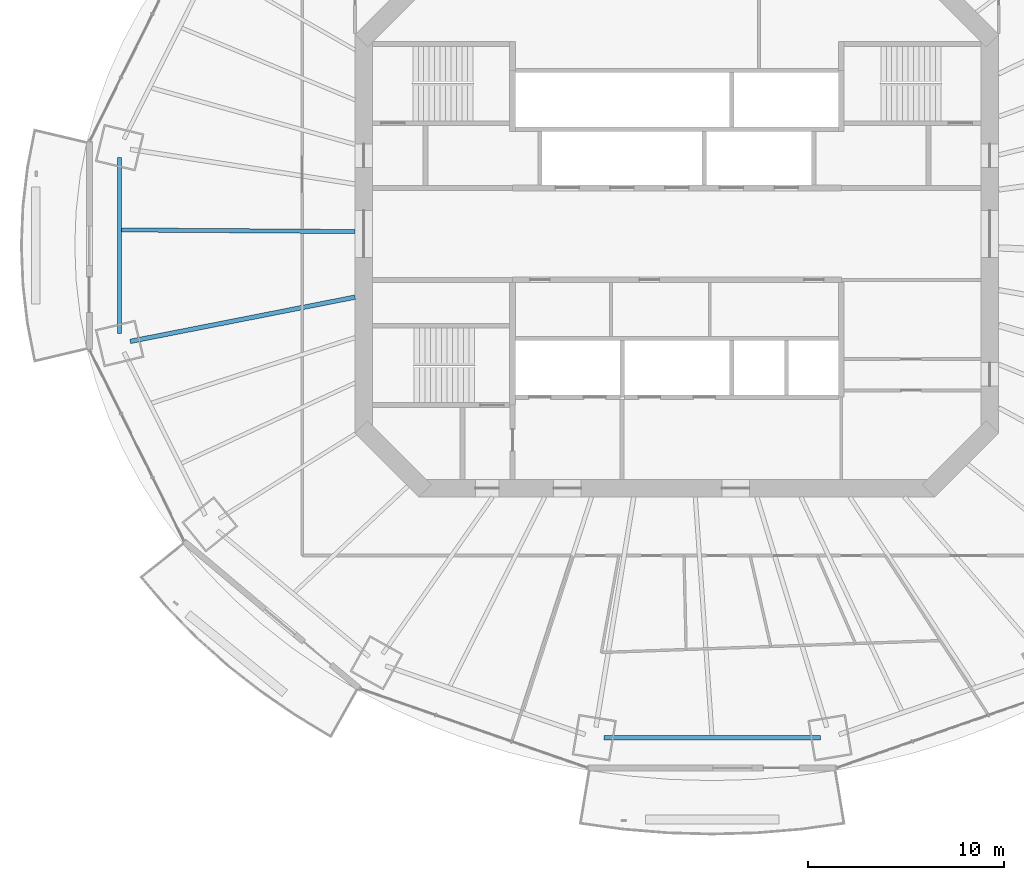
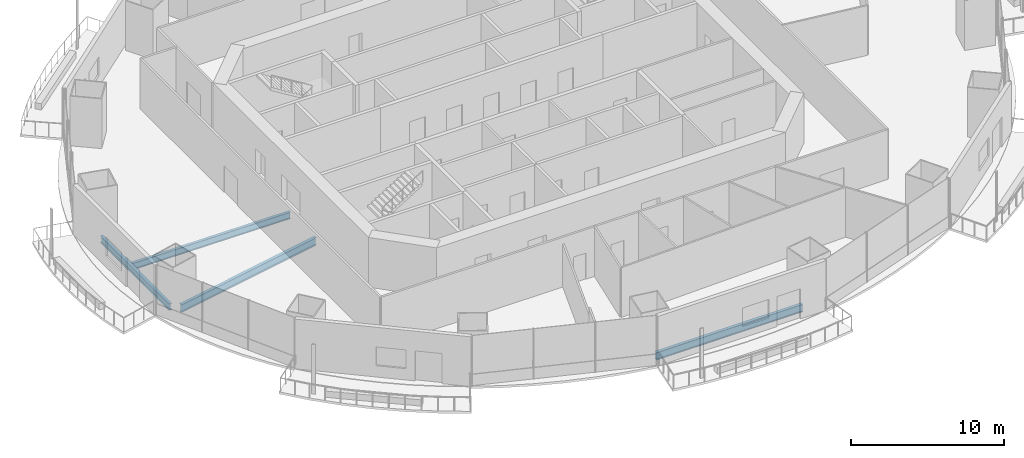
# One storey, part 3 of 20: 4 beams.
"""IFC4 building model written with IfcOpenShell, lengths in metres."""

from ifc_helpers import new_model, si_unit, direction, frame, origin, origin_2d, place, context, subcontext, project, spatial, i_section, extrude, material, material_profile, profile_set, type_object, element, save


model = new_model("IFC4")

# Units and contexts
model_context = context("Model", 3, precision=1e-05, world=origin(), true_north=direction((0.0, 1.0)))
body_context = subcontext(model_context, "Body", "Model", "MODEL_VIEW")
ifc_project = project(units=[si_unit("LENGTHUNIT", "METRE"), si_unit("AREAUNIT", "SQUARE_METRE"), si_unit("VOLUMEUNIT", "CUBIC_METRE"), si_unit("PLANEANGLEUNIT", "RADIAN"), si_unit("MASSUNIT", "GRAM", prefix="KILO")], contexts=[model_context])

# Site, building, storey
site_placement = place(None, origin())
site = spatial("IfcSite", under=ifc_project, at=site_placement, CompositionType="ELEMENT")
building_placement = place(site_placement, origin())
building = spatial("IfcBuilding", under=site, at=building_placement, Name="Marenthal Gate Tower", CompositionType="ELEMENT")
storey_placement = place(building_placement, frame((0.0, 0.0, 177.64990234375)))
storey = spatial("IfcBuildingStorey", under=building, at=storey_placement, Name="L38", CompositionType="ELEMENT", Elevation=177.64990234375)

# Beams
ifc_material_1 = material(Name="Steel S355", Category="steel")
ifc_material_profile_1 = material_profile(ifc_material_1, i_section(OverallWidth=0.2119140625, OverallDepth=0.5439453125, WebThickness=0.01318359375, FlangeThickness=0.021240234375, FilletRadius=0.0126953125, at=origin_2d()), Name="W530X123")
ifc_profile_set_1 = profile_set([ifc_material_profile_1], Name="Steel S355")
beam_type_1 = type_object("IfcBeamType", Name="W530X123 beam", PredefinedType="BEAM", material=ifc_profile_set_1)
beam_1_placement = place(storey_placement, frame((-28.377685546875, 0.19970703125, -0.451904296875), z_axis=(0.999975212374, -0.007040925844, 0.0), x_axis=(0.007040925844, 0.999975212374, 0.0)))
element("IfcBeam", 1, at=beam_1_placement, inside=storey, type_object=beam_type_1, Name="BM-L38-28", PredefinedType="BEAM", context=body_context, shape_type="SweptSolid", body=[
    extrude(i_section(OverallWidth=0.2119140625, OverallDepth=0.5439453125, WebThickness=0.01318359375, FlangeThickness=0.021240234375, FilletRadius=0.0126953125, at=origin_2d()), origin(), (0.0, 0.0, 1.0), 11.927978515625),
])
beam_2_placement = place(storey_placement, frame((-28.483642578125, 3.900634765625, -0.451904296875), z_axis=(0.0, -1.0, 0.0), x_axis=(1.0, 0.0, 0.0)))
element("IfcBeam", 2, at=beam_2_placement, inside=storey, type_object=beam_type_1, Name="BM-L38-48", PredefinedType="BEAM", context=body_context, shape_type="SweptSolid", body=[
    extrude(i_section(OverallWidth=0.2119140625, OverallDepth=0.5439453125, WebThickness=0.01318359375, FlangeThickness=0.021240234375, FilletRadius=0.0126953125, at=origin_2d()), origin(), (0.0, 0.0, 1.0), 9.001220703125),
])
ifc_material_2 = material(Name="Steel S355", Category="steel")
ifc_material_profile_2 = material_profile(ifc_material_2, i_section(OverallWidth=0.22900390625, OverallDepth=0.612060546875, WebThickness=0.011962890625, FlangeThickness=0.01953125, FilletRadius=0.0126953125, at=origin_2d()), Name="W610X125")
ifc_profile_set_2 = profile_set([ifc_material_profile_2], Name="Steel S355")
beam_type_2 = type_object("IfcBeamType", Name="W610X125 beam", PredefinedType="BEAM", material=ifc_profile_set_2)
beam_3_placement = place(storey_placement, frame((-27.943115234375, -5.4970703125, -0.48583984375), z_axis=(0.981193874076, 0.193024820881, 0.0), x_axis=(-0.193024820881, 0.981193874076, 0.0)))
element("IfcBeam", 3, at=beam_3_placement, inside=storey, type_object=beam_type_2, Name="BM-L38-09", PredefinedType="BEAM", context=body_context, shape_type="SweptSolid", body=[
    extrude(i_section(OverallWidth=0.22900390625, OverallDepth=0.612060546875, WebThickness=0.011962890625, FlangeThickness=0.01953125, FilletRadius=0.0126953125, at=origin_2d()), origin(), (0.0, 0.0, 1.0), 11.71337890625),
])
beam_4_placement = place(storey_placement, frame((-3.735595703125, -25.753173828125, -0.48583984375), z_axis=(1.0, 0.0, 0.0), x_axis=(0.0, 1.0, 0.0)))
element("IfcBeam", 4, at=beam_4_placement, inside=storey, type_object=beam_type_2, Name="BM-L38-52", PredefinedType="BEAM", context=body_context, shape_type="SweptSolid", body=[
    extrude(i_section(OverallWidth=0.22900390625, OverallDepth=0.612060546875, WebThickness=0.011962890625, FlangeThickness=0.01953125, FilletRadius=0.0126953125, at=origin_2d()), origin(), (0.0, 0.0, 1.0), 11.0712890625),
])

save(model, "model.ifc")
